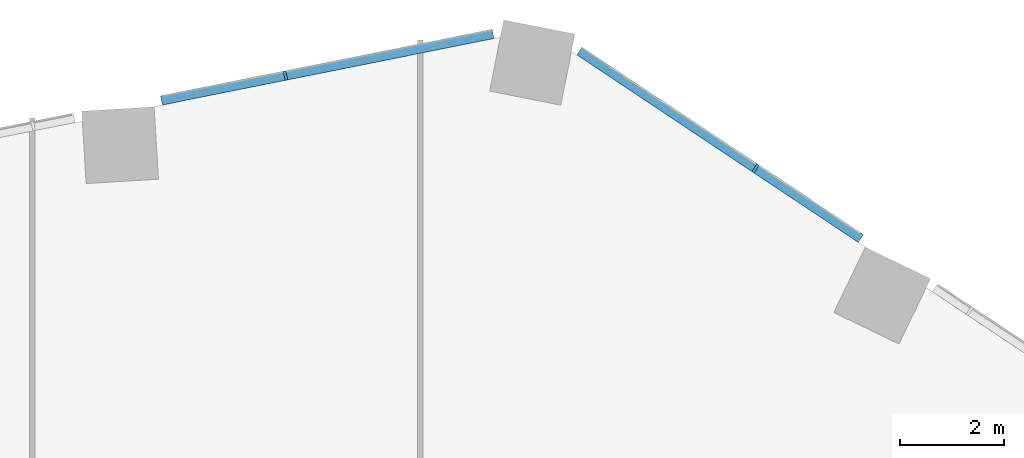
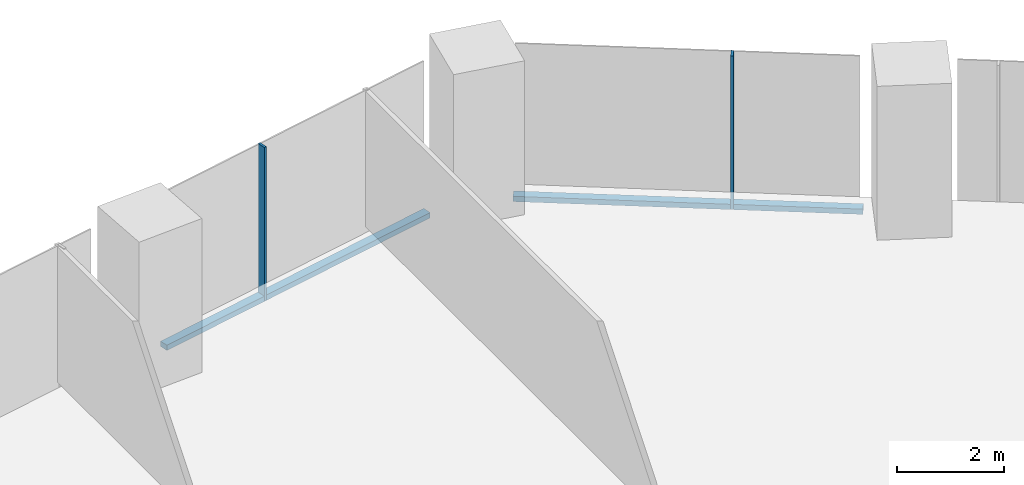
# One storey, part 14 of 38: 4 members, 2 elements without a shape of their own.
"""IFC4 building model written with IfcOpenShell, lengths in metres."""

from ifc_helpers import new_model, si_unit, direction, frame, origin, origin_2d, place, context, subcontext, project, spatial, rectangle, extrude, material, material_profile, profile_set, type_object, element, aggregate, save


model = new_model("IFC4")

# Units and contexts
model_context = context("Model", 3, precision=1e-05, world=origin(), true_north=direction((0.0, 1.0)))
body_context = subcontext(model_context, "Body", "Model", "MODEL_VIEW")
ifc_project = project(units=[si_unit("LENGTHUNIT", "METRE"), si_unit("AREAUNIT", "SQUARE_METRE"), si_unit("VOLUMEUNIT", "CUBIC_METRE"), si_unit("PLANEANGLEUNIT", "RADIAN"), si_unit("MASSUNIT", "GRAM", prefix="KILO")], contexts=[model_context])

# Site, building, storey
site_placement = place(None, origin())
site = spatial("IfcSite", under=ifc_project, at=site_placement, CompositionType="ELEMENT")
building_placement = place(site_placement, origin())
building = spatial("IfcBuilding", under=site, at=building_placement, Name="Orlundy Tower", CompositionType="ELEMENT")
storey_placement = place(building_placement, frame((0.0, 0.0, 65.800048828125)))
storey = spatial("IfcBuildingStorey", under=building, at=storey_placement, Name="L15", CompositionType="ELEMENT", Elevation=65.800048828125)

# Curtain wall, member
ifc_material_1 = material(Name="Aluminium bronze anodised", Category="aluminium")
curtain_wall_type = type_object("IfcCurtainWallType", Name="CW1 wall", PredefinedType="NOTDEFINED", material=ifc_material_1)
curtain_wall_1_placement = place(storey_placement, origin())
curtain_wall_1 = element("IfcCurtainWall", 1, at=curtain_wall_1_placement, inside=storey, type_object=curtain_wall_type, Name="CW1 run 015", PredefinedType="NOTDEFINED")
ifc_material_2 = material(Name="Aluminium bronze anodised", Category="aluminium")
ifc_material_profile_1 = material_profile(ifc_material_2, rectangle(XDim=0.179931640625, YDim=0.050048828125, at=origin_2d()), Name="CW1 mullion 50x180")
ifc_profile_set_1 = profile_set([ifc_material_profile_1], Name="Aluminium bronze anodised")
member_type_1 = type_object("IfcMemberType", Name="CW1 mullion 50x180", PredefinedType="MULLION", material=ifc_profile_set_1)
member_1_placement = place(storey_placement, frame((1.3974609375, 30.968505859375, -0.400146484375), z_axis=(0.0, 0.0, 1.0), x_axis=(-0.196510737775, 0.980501672583, 0.0)))
member_1 = element("IfcMember", 2, at=member_1_placement, type_object=member_type_1, Name="CW1 mullion 43", PredefinedType="MULLION", context=body_context, shape_type="SweptSolid", body=[
    extrude(rectangle(XDim=0.179931640625, YDim=0.050048828125, at=origin_2d()), origin(), (0.0, 0.0, 1.0), 3.5),
])

curtain_wall_2_placement = place(storey_placement, origin())
curtain_wall_2 = element("IfcCurtainWall", 3, at=curtain_wall_2_placement, inside=storey, type_object=curtain_wall_type, Name="CW1 run 016", PredefinedType="NOTDEFINED")
member_2_placement = place(storey_placement, frame((10.4755859375, 29.176513671875, -0.400146484375), z_axis=(0.0, 0.0, 1.0), x_axis=(0.554356579774, 0.832279269513, 0.0)))
member_2 = element("IfcMember", 4, at=member_2_placement, type_object=member_type_1, Name="CW1 mullion 45", PredefinedType="MULLION", context=body_context, shape_type="SweptSolid", body=[
    extrude(rectangle(XDim=0.179931640625, YDim=0.050048828125, at=origin_2d()), origin(), (0.0, 0.0, 1.0), 3.5),
])

# Member
ifc_material_3 = material(Name="Aluminium bronze anodised", Category="aluminium")
ifc_material_profile_2 = material_profile(ifc_material_3, rectangle(XDim=0.179931640625, YDim=0.1201171875, at=origin_2d()), Name="CW1 transom 180x120")
ifc_profile_set_2 = profile_set([ifc_material_profile_2], Name="Aluminium bronze anodised")
member_type_2 = type_object("IfcMemberType", Name="CW1 transom 180x120", PredefinedType="USERDEFINED", material=ifc_profile_set_2)
member_3_placement = place(storey_placement, frame((-0.997802734375, 30.48828125, -0.340087890625), z_axis=(0.980498633582, 0.19652590044, 0.0), x_axis=(-0.19652590044, 0.980498633582, 0.0)))
member_3 = element("IfcMember", 5, at=member_3_placement, type_object=member_type_2, Name="CW1 transom", ObjectType="TRANSOM", PredefinedType="USERDEFINED", context=body_context, shape_type="SweptSolid", body=[
    extrude(rectangle(XDim=0.179931640625, YDim=0.1201171875, at=origin_2d()), origin(), (0.0, 0.0, 1.0), 6.53076171875),
])

aggregate(curtain_wall_1, [member_1, member_3])

member_4_placement = place(storey_placement, frame((7.073486328125, 31.442626953125, -0.340087890625), z_axis=(0.832280257584, -0.554355096338, 0.0), x_axis=(0.554355096338, 0.832280257584, 0.0)))
member_4 = element("IfcMember", 6, at=member_4_placement, type_object=member_type_2, Name="CW1 transom", ObjectType="TRANSOM", PredefinedType="USERDEFINED", context=body_context, shape_type="SweptSolid", body=[
    extrude(rectangle(XDim=0.179931640625, YDim=0.1201171875, at=origin_2d()), origin(), (0.0, 0.0, 1.0), 6.53125),
])

aggregate(curtain_wall_2, [member_2, member_4])

save(model, "model.ifc")
